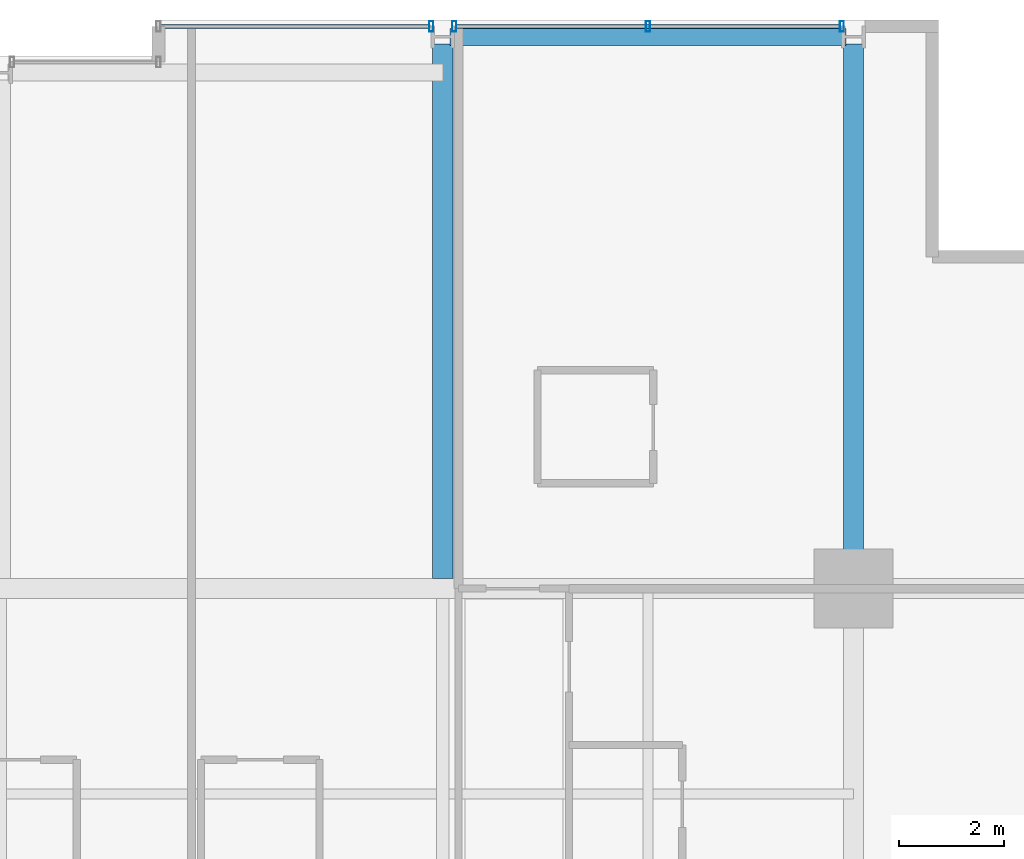
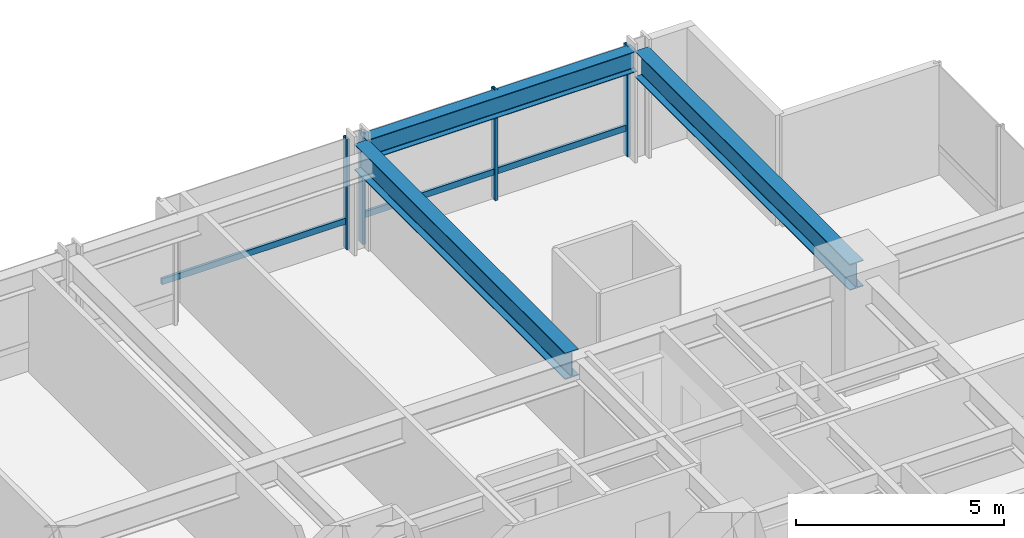
# One storey, part 25 of 35: 6 members, 3 beams, 2 elements without a shape of their own.
"""IFC4 building model written with IfcOpenShell, lengths in metres."""

import ifcopenshell
import ifcopenshell.guid

model = None  # the IFC model being written
_history = None  # IfcOwnerHistory: only IFC2X3 demands one
_inside = {}  # id of a spatial element -> (the spatial element, [elements in it])
_under = {}  # id of a project, library or spatial element -> (it, [spatial elements below it])
_declared = {}  # id of a project -> (the project, [libraries it declares])
_typed = {}  # id of a type object -> (the type object, [elements of that type])
_made_of = {}  # id of a material, layer set ... -> (it, [elements and type objects made of it])


def new_model(schema):
    """Start an empty IFC model of exactly this schema.

    Asked for "IFC4X3", IfcOpenShell would pick the latest addendum, in which some entities
    have other attributes; the version numbers below select the first issue.
    IFC2X3 requires an IfcOwnerHistory on every rooted entity: one is made here for all.
    """
    global model, _history
    if schema == "IFC4X3":
        model = ifcopenshell.file(schema_version=(4, 3, 0, 0))
    else:
        model = ifcopenshell.file(schema=schema)
    _inside.clear()
    _under.clear()
    _declared.clear()
    _typed.clear()
    _made_of.clear()
    _history = None
    if model.schema == "IFC2X3":
        org = make("IfcOrganization", Name="unknown")
        user = make(
            "IfcPersonAndOrganization",
            ThePerson=make("IfcPerson", FamilyName="unknown"),
            TheOrganization=org,
        )
        app = make(
            "IfcApplication",
            ApplicationDeveloper=org,
            Version="unknown",
            ApplicationFullName="unknown",
            ApplicationIdentifier="unknown",
        )
        _history = make(
            "IfcOwnerHistory",
            OwningUser=user,
            OwningApplication=app,
            ChangeAction="ADDED",
            CreationDate=0,
        )
    return model


def make(cls, **values):
    """One entity of the class cls with the attributes given. An attribute that is None is left unset."""
    return model.create_entity(
        cls, **{name: value for name, value in values.items() if value is not None}
    )


def rooted(cls, **values):
    """An entity with a GlobalId (a new one), such as an element, a storey or a relation."""
    return make(cls, GlobalId=ifcopenshell.guid.new(), OwnerHistory=_history, **values)


def si_unit(unit_type, name, prefix=None):
    """IfcSIUnit, for example si_unit("LENGTHUNIT", "METRE", prefix="MILLI")."""
    return make("IfcSIUnit", UnitType=unit_type, Prefix=prefix, Name=name)


def assignment(units):
    """IfcUnitAssignment: the units of a project."""
    return None if units is None else make("IfcUnitAssignment", Units=units)


def point(xyz):
    """IfcCartesianPoint."""
    return None if xyz is None else make("IfcCartesianPoint", Coordinates=xyz)


def direction(xyz):
    """IfcDirection."""
    return None if xyz is None else make("IfcDirection", DirectionRatios=xyz)


def frame(location, z_axis=None, x_axis=None):
    """IfcAxis2Placement3D, a coordinate frame: its origin and axes. An axis left out is left unset."""
    return make(
        "IfcAxis2Placement3D",
        Location=point(location),
        Axis=direction(z_axis),
        RefDirection=direction(x_axis),
    )


def frame_2d(location, x_axis=None):
    """IfcAxis2Placement2D, a coordinate frame in the plane: its origin and x axis."""
    return make(
        "IfcAxis2Placement2D", Location=point(location), RefDirection=direction(x_axis)
    )


def origin():
    """The frame at (0, 0, 0) with its axes left unset."""
    return frame((0.0, 0.0, 0.0))


def origin_2d():
    """The frame at (0, 0) in the plane with its x axis left unset."""
    return frame_2d((0.0, 0.0))


def place(relative_to, where):
    """IfcLocalPlacement: puts the frame where relative to a parent placement (None: the world)."""
    return make(
        "IfcLocalPlacement", PlacementRelTo=relative_to, RelativePlacement=where
    )


def context(
    kind, dimensions, precision=None, world=None, true_north=None, identifier=None
):
    """IfcGeometricRepresentationContext, for example the 3D "Model" context."""
    return make(
        "IfcGeometricRepresentationContext",
        ContextIdentifier=identifier,
        ContextType=kind,
        CoordinateSpaceDimension=dimensions,
        Precision=precision,
        WorldCoordinateSystem=world,
        TrueNorth=true_north,
    )


def subcontext(parent, identifier, kind, view, scale=None):
    """IfcGeometricRepresentationSubContext, for example "Body" below "Model"."""
    return make(
        "IfcGeometricRepresentationSubContext",
        ContextIdentifier=identifier,
        ContextType=kind,
        ParentContext=parent,
        TargetScale=scale,
        TargetView=view,
    )


def project(units=None, contexts=None):
    """IfcProject with its units and contexts."""
    return rooted(
        "IfcProject",
        Name="project",
        RepresentationContexts=contexts,
        UnitsInContext=assignment(units),
    )


def spatial(cls, under=None, at=None, **own):
    """A site, building, storey or space (cls), placed at a placement, below another one or the project."""
    s = rooted(cls, ObjectPlacement=at, **own)
    if under is not None:
        _under.setdefault(under.id(), (under, []))[1].append(s)
    return s


def profile(cls, at=None, kind="AREA", **sizes):
    """A parametric profile (cls). Its sizes go by their IFC names, for example OverallWidth=200.0."""
    return make(cls, ProfileType=kind, Position=at, **sizes)


def hollow_rectangle(**sizes):
    """IfcRectangleHollowProfileDef."""
    return profile("IfcRectangleHollowProfileDef", **sizes)


def i_section(**sizes):
    """IfcIShapeProfileDef."""
    return profile("IfcIShapeProfileDef", **sizes)


def extrude(swept, where, along, depth):
    """IfcExtrudedAreaSolid: the profile swept, set in the frame where, extruded along a direction by depth."""
    return make(
        "IfcExtrudedAreaSolid",
        SweptArea=swept,
        Position=where,
        ExtrudedDirection=direction(along),
        Depth=depth,
    )


def shape(context_of_items, identifier, shape_type, items):
    """IfcShapeRepresentation: the items that make up one representation, for example the "Body"."""
    return make(
        "IfcShapeRepresentation",
        ContextOfItems=context_of_items,
        RepresentationIdentifier=identifier,
        RepresentationType=shape_type,
        Items=items,
    )


def material(Name=None, Category=None):
    """IfcMaterial."""
    return make("IfcMaterial", Name=Name, Category=Category)


def layer(
    of_material, thickness, ventilated=None, Name=None, Category=None, Priority=None
):
    """IfcMaterialLayer: one layer of a wall or slab, of a material (None: an air gap)."""
    return make(
        "IfcMaterialLayer",
        Material=of_material,
        LayerThickness=thickness,
        IsVentilated=ventilated,
        Name=Name,
        Category=Category,
        Priority=Priority,
    )


def layer_set(layers, Name=None):
    """IfcMaterialLayerSet."""
    return make("IfcMaterialLayerSet", MaterialLayers=layers, LayerSetName=Name)


def material_profile(
    of_material, cross_section, Name=None, Category=None, Priority=None
):
    """IfcMaterialProfile: a cross section and its material."""
    return make(
        "IfcMaterialProfile",
        Name=Name,
        Material=of_material,
        Profile=cross_section,
        Priority=Priority,
        Category=Category,
    )


def profile_set(profiles, Name=None, composite=None):
    """IfcMaterialProfileSet."""
    return make(
        "IfcMaterialProfileSet",
        Name=Name,
        MaterialProfiles=profiles,
        CompositeProfile=composite,
    )


def made_of(thing, what):
    """Note that an element or type object is made of a material, layer set ...; save() writes the relation."""
    if what is not None:
        _made_of.setdefault(what.id(), (what, []))[1].append(thing)
    return thing


def type_object(cls, material=None, **own):
    """A type object (cls), such as IfcWallType, which elements share."""
    return made_of(rooted(cls, **own), material)


def element(
    cls,
    number,
    at=None,
    inside=None,
    cuts=None,
    type_object=None,
    material=None,
    context=None,
    identifier="Body",
    shape_type=None,
    held_by="IfcProductDefinitionShape",
    body=None,
    shapes=None,
    **own,
):
    """One element of the class cls, such as IfcWall. Its Tag is "e" and its number.

    at: its placement. inside: the storey or other place that contains it. cuts: it is an
    opening in that element (IfcRelVoidsElement). A single representation is given by context,
    identifier, shape_type and body (its items); several are given by shapes. held_by: the class
    of the entity that holds the representations. save() writes the other relations.
    """
    e = rooted(cls, Tag="e%d" % number, ObjectPlacement=at, **own)
    if body is not None:
        shapes = [shape(context, identifier, shape_type, body)]
    if shapes is not None:
        e.Representation = make(held_by, Representations=shapes)
    if inside is not None:
        _inside.setdefault(inside.id(), (inside, []))[1].append(e)
    if cuts is not None:
        rooted(
            "IfcRelVoidsElement", RelatingBuildingElement=cuts, RelatedOpeningElement=e
        )
    if type_object is not None:
        _typed.setdefault(type_object.id(), (type_object, []))[1].append(e)
    return made_of(e, material)


def aggregate(whole, parts):
    """IfcRelAggregates: a whole, such as a stair, and the parts it consists of."""
    return rooted("IfcRelAggregates", RelatingObject=whole, RelatedObjects=parts)


def save(model, path):
    """Write the relations noted so far, then the file.

    IfcRelAggregates (storeys below a building ...), IfcRelContainedInSpatialStructure (elements
    in a storey), IfcRelDefinesByType, IfcRelAssociatesMaterial and IfcRelDeclares: one each for
    every whole, place, type object, material and project.
    """
    for whole, parts in _under.values():
        aggregate(whole, parts)
    for where, things in _inside.values():
        rooted(
            "IfcRelContainedInSpatialStructure",
            RelatedElements=things,
            RelatingStructure=where,
        )
    for kind, things in _typed.values():
        rooted("IfcRelDefinesByType", RelatedObjects=things, RelatingType=kind)
    for what, things in _made_of.values():
        rooted("IfcRelAssociatesMaterial", RelatedObjects=things, RelatingMaterial=what)
    for by, libraries in _declared.values():
        rooted("IfcRelDeclares", RelatingContext=by, RelatedDefinitions=libraries)
    model.write(path)


model = new_model("IFC4")

# Units and contexts
model_context = context("Model", 3, precision=1e-05, world=origin(), true_north=direction((0.0, 1.0)))
body_context = subcontext(model_context, "Body", "Model", "MODEL_VIEW")
ifc_project = project(units=[si_unit("LENGTHUNIT", "METRE"), si_unit("AREAUNIT", "SQUARE_METRE"), si_unit("VOLUMEUNIT", "CUBIC_METRE"), si_unit("PLANEANGLEUNIT", "RADIAN"), si_unit("MASSUNIT", "GRAM", prefix="KILO")], contexts=[model_context])

# Site, building, storey
site_placement = place(None, origin())
site = spatial("IfcSite", under=ifc_project, at=site_placement, CompositionType="ELEMENT")
building_placement = place(site_placement, origin())
building = spatial("IfcBuilding", under=site, at=building_placement, Name="Drelvath Grand Hotel", CompositionType="ELEMENT")
storey_placement = place(building_placement, frame((0.0, 0.0, 98.800048828125)))
storey = spatial("IfcBuildingStorey", under=building, at=storey_placement, Name="L24", CompositionType="ELEMENT", Elevation=98.800048828125)

# Curtain wall, member
ifc_material_1 = material(Name="Champagne Bronze Anodised Aluminium Frame", Category="aluminium")
ifc_layer = layer(ifc_material_1, 0.199951171875)
ifc_layer_set = layer_set([ifc_layer], Name="Champagne Bronze Anodised Aluminium Frame")
curtain_wall_type = type_object("IfcCurtainWallType", Name="Stick Curtain Wall CW-03 Champagne Bronze Mid-Rise", PredefinedType="NOTDEFINED", material=ifc_layer_set)
curtain_wall_1_placement = place(storey_placement, origin())
curtain_wall_1 = element("IfcCurtainWall", 1, at=curtain_wall_1_placement, inside=storey, type_object=curtain_wall_type, Name="L24 CW-03 Curtain Wall CW03-L24-NE1", PredefinedType="NOTDEFINED")
ifc_material_profile_1 = material_profile(ifc_material_1, hollow_rectangle(XDim=0.074951171875, YDim=0.179931640625, WallThickness=0.0048828125, at=origin_2d()), Name="HSS180X75X5")
ifc_profile_set_1 = profile_set([ifc_material_profile_1], Name="Champagne Bronze Anodised Aluminium Frame")
member_type_1 = type_object("IfcMemberType", Name="Curtain Wall Horizontal Transom CW-03 HSS180X75X5", PredefinedType="USERDEFINED", material=ifc_profile_set_1)
member_1_placement = place(storey_placement, frame((3.0400390625, 53.8798828125, 0.81005859375), z_axis=(1.0, 0.0, 0.0), x_axis=(0.0, 1.0, 0.0)))
member_1 = element("IfcMember", 2, at=member_1_placement, type_object=member_type_1, Name="CW03-L24-NE1 Sill Transom", ObjectType="TRANSOM", PredefinedType="USERDEFINED", context=body_context, shape_type="SweptSolid", body=[
    extrude(hollow_rectangle(XDim=0.074951171875, YDim=0.179931640625, WallThickness=0.0048828125, at=origin_2d()), origin(), (0.0, 0.0, 1.0), 5.100341796875),
])

curtain_wall_2_placement = place(storey_placement, origin())
curtain_wall_2 = element("IfcCurtainWall", 3, at=curtain_wall_2_placement, inside=storey, type_object=curtain_wall_type, Name="L24 CW-03 Curtain Wall CW03-L24-NE2", PredefinedType="NOTDEFINED")
member_2_placement = place(storey_placement, frame((8.65966796875, 53.8798828125, 0.81005859375), z_axis=(1.0, 0.0, 0.0), x_axis=(0.0, 1.0, 0.0)))
member_2 = element("IfcMember", 4, at=member_2_placement, type_object=member_type_1, Name="CW03-L24-NE2 Sill Transom", ObjectType="TRANSOM", PredefinedType="USERDEFINED", context=body_context, shape_type="SweptSolid", body=[
    extrude(hollow_rectangle(XDim=0.074951171875, YDim=0.179931640625, WallThickness=0.0048828125, at=origin_2d()), origin(), (0.0, 0.0, 1.0), 7.28076171875),
])

# Member
ifc_material_profile_2 = material_profile(ifc_material_1, hollow_rectangle(XDim=0.080078125, YDim=0.199951171875, WallThickness=0.0048828125, at=origin_2d()), Name="HSS200X80X5")
ifc_profile_set_2 = profile_set([ifc_material_profile_2], Name="Champagne Bronze Anodised Aluminium Frame")
member_type_2 = type_object("IfcMemberType", Name="Curtain Wall Vertical Mullion CW-03 HSS200X80X5", PredefinedType="MULLION", material=ifc_profile_set_2)
member_3_placement = place(storey_placement, frame((8.180419921875, 53.8798828125, 0.0), z_axis=(0.0, 0.0, 1.0), x_axis=(1.0, 0.0, 0.0)))
member_3 = element("IfcMember", 5, at=member_3_placement, type_object=member_type_2, Name="CW03-L24-NE1 Mullion 2", PredefinedType="MULLION", context=body_context, shape_type="SweptSolid", body=[
    extrude(hollow_rectangle(XDim=0.080078125, YDim=0.199951171875, WallThickness=0.0048828125, at=origin_2d()), origin(), (0.0, 0.0, 1.0), 3.239990234375),
])

aggregate(curtain_wall_1, [member_3, member_1])

member_4_placement = place(storey_placement, frame((8.61962890625, 53.8798828125, 0.0), z_axis=(0.0, 0.0, 1.0), x_axis=(1.0, 0.0, 0.0)))
member_4 = element("IfcMember", 6, at=member_4_placement, type_object=member_type_2, Name="CW03-L24-NE2 Mullion 1", PredefinedType="MULLION", context=body_context, shape_type="SweptSolid", body=[
    extrude(hollow_rectangle(XDim=0.080078125, YDim=0.199951171875, WallThickness=0.0048828125, at=origin_2d()), origin(), (0.0, 0.0, 1.0), 3.239990234375),
])

member_5_placement = place(storey_placement, frame((12.300048828125, 53.8798828125, 0.0), z_axis=(0.0, 0.0, 1.0), x_axis=(1.0, 0.0, 0.0)))
member_5 = element("IfcMember", 7, at=member_5_placement, type_object=member_type_2, Name="CW03-L24-NE2 Mullion 2", PredefinedType="MULLION", context=body_context, shape_type="SweptSolid", body=[
    extrude(hollow_rectangle(XDim=0.080078125, YDim=0.199951171875, WallThickness=0.0048828125, at=origin_2d()), origin(), (0.0, 0.0, 1.0), 3.239990234375),
])

member_6_placement = place(storey_placement, frame((15.98046875, 53.8798828125, 0.0), z_axis=(0.0, 0.0, 1.0), x_axis=(1.0, 0.0, 0.0)))
member_6 = element("IfcMember", 8, at=member_6_placement, type_object=member_type_2, Name="CW03-L24-NE2 Mullion 3", PredefinedType="MULLION", context=body_context, shape_type="SweptSolid", body=[
    extrude(hollow_rectangle(XDim=0.080078125, YDim=0.199951171875, WallThickness=0.0048828125, at=origin_2d()), origin(), (0.0, 0.0, 1.0), 3.239990234375),
])

aggregate(curtain_wall_2, [member_4, member_5, member_6, member_2])

# Beams
ifc_material_2 = material(Name="Steel ASTM A992 Gr 50", Category="steel")
ifc_material_profile_3 = material_profile(ifc_material_2, i_section(OverallWidth=0.323974609375, OverallDepth=0.611083984375, WebThickness=0.0126953125, FlangeThickness=0.01904296875, FilletRadius=0.02197265625, at=origin_2d()), Name="W24X104")
ifc_profile_set_3 = profile_set([ifc_material_profile_3], Name="Steel ASTM A992 Gr 50")
beam_type_1 = type_object("IfcBeamType", Name="Perimeter Spandrel Beam W24X104", PredefinedType="SPANDREL", material=ifc_profile_set_3)
beam_1_placement = place(storey_placement, frame((8.5400390625, 53.679931640625, 2.9345703125), z_axis=(1.0, 0.0, 0.0), x_axis=(0.0, 1.0, 0.0)))
element("IfcBeam", 9, at=beam_1_placement, inside=storey, type_object=beam_type_1, Name="L24 Spandrel North E", PredefinedType="SPANDREL", context=body_context, shape_type="SweptSolid", body=[
    extrude(i_section(OverallWidth=0.323974609375, OverallDepth=0.611083984375, WebThickness=0.0126953125, FlangeThickness=0.01904296875, FilletRadius=0.02197265625, at=origin_2d()), origin(), (0.0, 0.0, 1.0), 7.52001953125),
])
ifc_material_profile_4 = material_profile(ifc_material_2, i_section(OverallWidth=0.380615234375, OverallDepth=0.773193359375, WebThickness=0.0166015625, FlangeThickness=0.027099609375, FilletRadius=0.02490234375, at=origin_2d()), Name="W30X173")
ifc_profile_set_4 = profile_set([ifc_material_profile_4], Name="Steel ASTM A992 Gr 50")
beam_type_2 = type_object("IfcBeamType", Name="Primary Floor Girder W30X173", PredefinedType="BEAM", material=ifc_profile_set_4)
beam_2_placement = place(storey_placement, frame((16.199951171875, 43.199951171875, 2.853271484375), z_axis=(0.0, 1.0, 0.0), x_axis=(-1.0, 0.0, 0.0)))
element("IfcBeam", 10, at=beam_2_placement, inside=storey, type_object=beam_type_2, Name="L24 North Grid Girder 7", PredefinedType="BEAM", context=body_context, shape_type="SweptSolid", body=[
    extrude(i_section(OverallWidth=0.380615234375, OverallDepth=0.773193359375, WebThickness=0.0166015625, FlangeThickness=0.027099609375, FilletRadius=0.02490234375, at=origin_2d()), origin(), (0.0, 0.0, 1.0), 10.340087890625),
])
beam_3_placement = place(storey_placement, frame((8.39990234375, 43.390380859375, 2.853271484375), z_axis=(0.0, 1.0, 0.0), x_axis=(-1.0, 0.0, 0.0)))
element("IfcBeam", 11, at=beam_3_placement, inside=storey, type_object=beam_type_2, Name="L24 North Wing Girder 6", PredefinedType="BEAM", context=body_context, shape_type="SweptSolid", body=[
    extrude(i_section(OverallWidth=0.380615234375, OverallDepth=0.773193359375, WebThickness=0.0166015625, FlangeThickness=0.027099609375, FilletRadius=0.02490234375, at=origin_2d()), origin(), (0.0, 0.0, 1.0), 10.149658203125),
])

save(model, "model.ifc")
